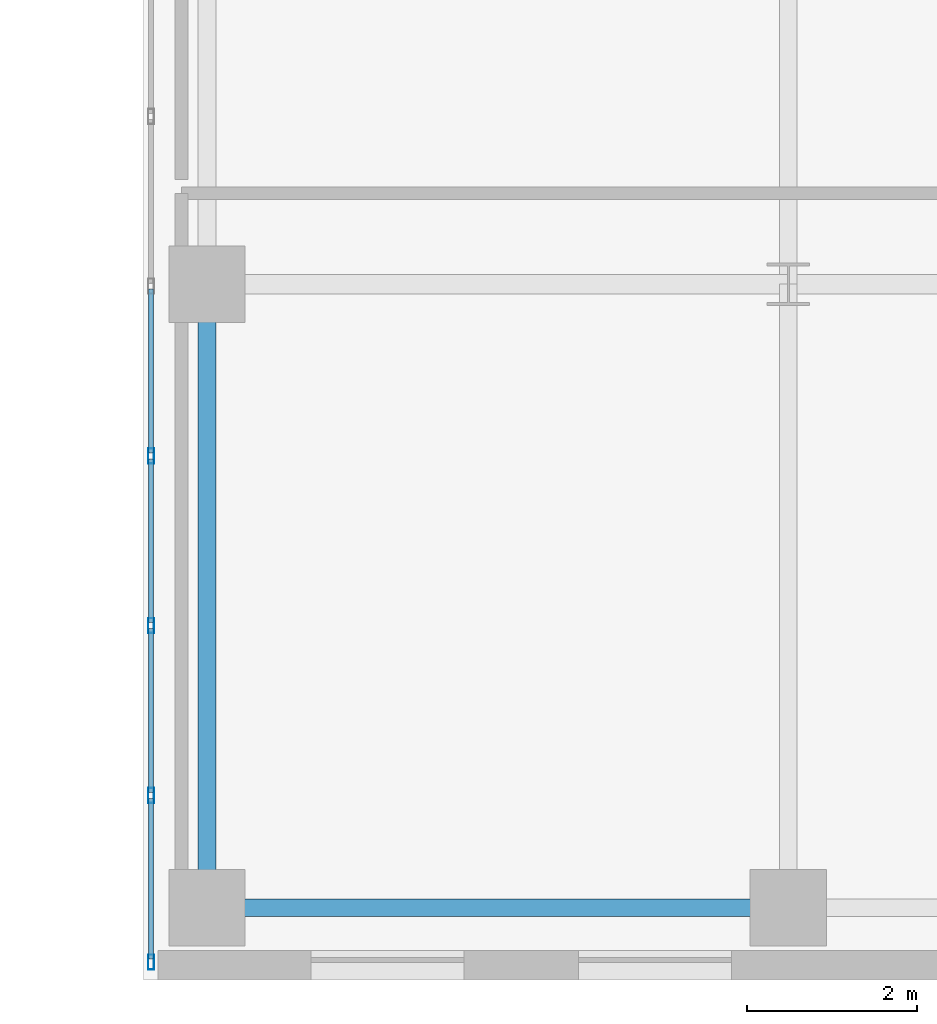
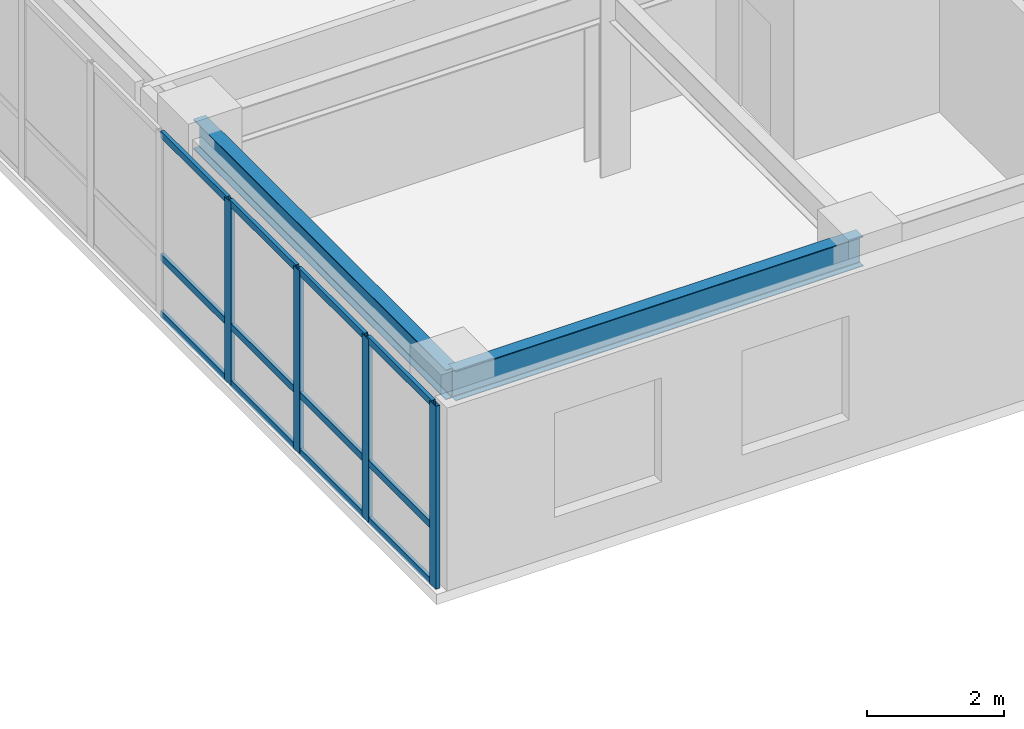
# One storey, part 5 of 16: 16 members, 2 beams, 1 element without a shape of its own.
"""IFC4 building model written with IfcOpenShell, lengths in metres."""

from ifc_helpers import new_model, si_unit, direction, frame, origin, origin_2d, place, context, subcontext, project, spatial, hollow_rectangle, i_section, extrude, source, transform, mapped, material, layer, layer_set, material_profile, profile_set, type_object, type_shapes, element, aggregate, save


model = new_model("IFC4")

# Units and contexts
model_context = context("Model", 3, precision=1e-05, world=origin(), true_north=direction((0.0, 1.0)))
body_context = subcontext(model_context, "Body", "Model", "MODEL_VIEW")
ifc_project = project(units=[si_unit("LENGTHUNIT", "METRE"), si_unit("AREAUNIT", "SQUARE_METRE"), si_unit("VOLUMEUNIT", "CUBIC_METRE"), si_unit("PLANEANGLEUNIT", "RADIAN"), si_unit("MASSUNIT", "GRAM", prefix="KILO")], contexts=[model_context])

# Site, building, storey
site_placement = place(None, origin())
site = spatial("IfcSite", under=ifc_project, at=site_placement, CompositionType="ELEMENT")
building_placement = place(site_placement, origin())
building = spatial("IfcBuilding", under=site, at=building_placement, Name="Tolvann Quenvar Hotel", CompositionType="ELEMENT")
storey_placement = place(building_placement, frame((0.0, 0.0, 92.35009765625)))
storey = spatial("IfcBuildingStorey", under=building, at=storey_placement, Name="L23", CompositionType="ELEMENT", Elevation=92.35009765625)

# Beams
ifc_material_1 = material(Name="Steel Grade 350", Category="steel")
ifc_material_profile_1 = material_profile(ifc_material_1, i_section(OverallWidth=0.208984375, OverallDepth=0.528076171875, WebThickness=0.009521484375, FlangeThickness=0.01318359375, FilletRadius=0.013916015625, at=origin_2d()), Name="530UB82")
ifc_profile_set_1 = profile_set([ifc_material_profile_1], Name="Steel Grade 350")
beam_type_1 = type_object("IfcBeamType", Name="BM_SPAND_530UB82", PredefinedType="SPANDREL", material=ifc_profile_set_1)
shared_shape_1 = source(origin(), body_context, "Body", "SweptSolid", [
    extrude(i_section(OverallWidth=0.208984375, OverallDepth=0.528076171875, WebThickness=0.009521484375, FlangeThickness=0.01318359375, FilletRadius=0.013916015625, at=origin_2d()), origin(), (0.0, 0.0, 1.0), 6.85009765625),
])
type_shapes(beam_type_1, [shared_shape_1])
beam_1_placement = place(storey_placement, frame((34.949951171875, 0.85009765625, 2.98583984375), z_axis=(1.0, 0.0, 0.0), x_axis=(0.0, 1.0, 0.0)))
element("IfcBeam", 1, at=beam_1_placement, inside=storey, type_object=beam_type_1, Name="BM-L23-EW-2-F2-H2", PredefinedType="SPANDREL", context=body_context, shape_type="MappedRepresentation", body=[
    mapped(shared_shape_1, transform((0.0, 0.0, 0.0), x_axis=(1.0, 0.0, 0.0), y_axis=(0.0, 1.0, 0.0), z_axis=(0.0, 0.0, 1.0), scale=1.0)),
])
ifc_material_profile_2 = material_profile(ifc_material_1, i_section(OverallWidth=0.208984375, OverallDepth=0.532958984375, WebThickness=0.01025390625, FlangeThickness=0.015625, FilletRadius=0.013916015625, at=origin_2d()), Name="530UB92")
ifc_profile_set_2 = profile_set([ifc_material_profile_2], Name="Steel Grade 350")
beam_type_2 = type_object("IfcBeamType", Name="BM_GIRD_530UB92", PredefinedType="BEAM", material=ifc_profile_set_2)
shared_shape_2 = source(origin(), body_context, "Body", "SweptSolid", [
    extrude(i_section(OverallWidth=0.208984375, OverallDepth=0.532958984375, WebThickness=0.01025390625, FlangeThickness=0.015625, FilletRadius=0.013916015625, at=origin_2d()), origin(), (0.0, 0.0, 1.0), 7.349853515625),
])
type_shapes(beam_type_2, [shared_shape_2])
beam_2_placement = place(storey_placement, frame((34.949951171875, 0.85009765625, 2.9833984375), z_axis=(0.0, 1.0, 0.0), x_axis=(-1.0, 0.0, 0.0)))
element("IfcBeam", 2, at=beam_2_placement, inside=storey, type_object=beam_type_2, Name="BM-L23-NS-F2-F3", PredefinedType="BEAM", context=body_context, shape_type="MappedRepresentation", body=[
    mapped(shared_shape_2, transform((0.0, 0.0, 0.0), x_axis=(1.0, 0.0, 0.0), y_axis=(0.0, 1.0, 0.0), z_axis=(0.0, 0.0, 1.0), scale=1.0)),
])

# Curtain wall, members
ifc_material_2 = material(Name="Thermally broken anodised architectural aluminium 6063-T6 and laminated low-E glass", Category="aluminium")
ifc_layer = layer(ifc_material_2, 0.179931640625)
ifc_layer_set = layer_set([ifc_layer], Name="Thermally broken anodised architectural aluminium 6063-T6 and laminated low-E glass")
curtain_wall_type = type_object("IfcCurtainWallType", Name="CW_SYS_SLOT_03", PredefinedType="USERDEFINED", material=ifc_layer_set)
curtain_wall_placement = place(storey_placement, origin())
curtain_wall = element("IfcCurtainWall", 3, at=curtain_wall_placement, inside=storey, type_object=curtain_wall_type, Name="Curtain Wall CW-SLOT-03 (CWR-L23-E07)", ObjectType="UNITISED CURTAIN WALL", PredefinedType="USERDEFINED")
ifc_material_3 = material(Name="Anodised architectural aluminium 6063-T6 framing", Category="aluminium")
ifc_material_profile_3 = material_profile(ifc_material_3, hollow_rectangle(XDim=0.06005859375, YDim=0.1201171875, WallThickness=0.00341796875, at=origin_2d()), Name="120x60x3.5RHS")
ifc_profile_set_3 = profile_set([ifc_material_profile_3], Name="Anodised architectural aluminium 6063-T6 framing")
member_type_1 = type_object("IfcMemberType", Name="CW_TRAN_120x60", PredefinedType="USERDEFINED", material=ifc_profile_set_3)
shared_shape_3 = source(origin(), body_context, "Body", "SweptSolid", [
    extrude(hollow_rectangle(XDim=0.06005859375, YDim=0.1201171875, WallThickness=0.00341796875, at=origin_2d()), origin(), (0.0, 0.0, 1.0), 1.894775390625),
])
member_1_placement = place(storey_placement, frame((34.2900390625, 2.139892578125, 0.02978515625), z_axis=(0.0, -1.0, 0.0), x_axis=(1.0, 0.0, 0.0)))
member_1 = element("IfcMember", 4, at=member_1_placement, type_object=member_type_1, Name="CW-SLOT-03 transom 8.1", ObjectType="TRANSOM", PredefinedType="USERDEFINED", context=body_context, shape_type="MappedRepresentation", body=[
    mapped(shared_shape_3, transform((0.0, 0.0, 0.0), x_axis=(1.0, 0.0, 0.0), y_axis=(0.0, 1.0, 0.0), z_axis=(0.0, 0.0, 1.0), scale=1.0)),
])
member_2_placement = place(storey_placement, frame((34.2900390625, 2.139892578125, 1.039794921875), z_axis=(0.0, -1.0, 0.0), x_axis=(1.0, 0.0, 0.0)))
member_2 = element("IfcMember", 5, at=member_2_placement, type_object=member_type_1, Name="CW-SLOT-03 transom 8.2", ObjectType="TRANSOM", PredefinedType="USERDEFINED", context=body_context, shape_type="MappedRepresentation", body=[
    mapped(shared_shape_3, transform((0.0, 0.0, 0.0), x_axis=(1.0, 0.0, 0.0), y_axis=(0.0, 1.0, 0.0), z_axis=(0.0, 0.0, 1.0), scale=1.0)),
])
member_3_placement = place(storey_placement, frame((34.2900390625, 2.139892578125, 3.219970703125), z_axis=(0.0, -1.0, 0.0), x_axis=(1.0, 0.0, 0.0)))
member_3 = element("IfcMember", 6, at=member_3_placement, type_object=member_type_1, Name="CW-SLOT-03 transom 8.3", ObjectType="TRANSOM", PredefinedType="USERDEFINED", context=body_context, shape_type="MappedRepresentation", body=[
    mapped(shared_shape_3, transform((0.0, 0.0, 0.0), x_axis=(1.0, 0.0, 0.0), y_axis=(0.0, 1.0, 0.0), z_axis=(0.0, 0.0, 1.0), scale=1.0)),
])
shared_shape_4 = source(origin(), body_context, "Body", "SweptSolid", [
    extrude(hollow_rectangle(XDim=0.06005859375, YDim=0.1201171875, WallThickness=0.00341796875, at=origin_2d()), origin(), (0.0, 0.0, 1.0), 1.929931640625),
])
type_shapes(member_type_1, [shared_shape_3, shared_shape_4])
member_4_placement = place(storey_placement, frame((34.2900390625, 8.139892578125, 0.02978515625), z_axis=(0.0, -1.0, 0.0), x_axis=(1.0, 0.0, 0.0)))
member_4 = element("IfcMember", 7, at=member_4_placement, type_object=member_type_1, Name="CW-SLOT-03 transom 5.1", ObjectType="TRANSOM", PredefinedType="USERDEFINED", context=body_context, shape_type="MappedRepresentation", body=[
    mapped(shared_shape_4, transform((0.0, 0.0, 0.0), x_axis=(1.0, 0.0, 0.0), y_axis=(0.0, 1.0, 0.0), z_axis=(0.0, 0.0, 1.0), scale=1.0)),
])
member_5_placement = place(storey_placement, frame((34.2900390625, 8.139892578125, 1.039794921875), z_axis=(0.0, -1.0, 0.0), x_axis=(1.0, 0.0, 0.0)))
member_5 = element("IfcMember", 8, at=member_5_placement, type_object=member_type_1, Name="CW-SLOT-03 transom 5.2", ObjectType="TRANSOM", PredefinedType="USERDEFINED", context=body_context, shape_type="MappedRepresentation", body=[
    mapped(shared_shape_4, transform((0.0, 0.0, 0.0), x_axis=(1.0, 0.0, 0.0), y_axis=(0.0, 1.0, 0.0), z_axis=(0.0, 0.0, 1.0), scale=1.0)),
])
member_6_placement = place(storey_placement, frame((34.2900390625, 8.139892578125, 3.219970703125), z_axis=(0.0, -1.0, 0.0), x_axis=(1.0, 0.0, 0.0)))
member_6 = element("IfcMember", 9, at=member_6_placement, type_object=member_type_1, Name="CW-SLOT-03 transom 5.3", ObjectType="TRANSOM", PredefinedType="USERDEFINED", context=body_context, shape_type="MappedRepresentation", body=[
    mapped(shared_shape_4, transform((0.0, 0.0, 0.0), x_axis=(1.0, 0.0, 0.0), y_axis=(0.0, 1.0, 0.0), z_axis=(0.0, 0.0, 1.0), scale=1.0)),
])
member_7_placement = place(storey_placement, frame((34.2900390625, 6.139892578125, 0.02978515625), z_axis=(0.0, -1.0, 0.0), x_axis=(1.0, 0.0, 0.0)))
member_7 = element("IfcMember", 10, at=member_7_placement, type_object=member_type_1, Name="CW-SLOT-03 transom 6.1", ObjectType="TRANSOM", PredefinedType="USERDEFINED", context=body_context, shape_type="MappedRepresentation", body=[
    mapped(shared_shape_4, transform((0.0, 0.0, 0.0), x_axis=(1.0, 0.0, 0.0), y_axis=(0.0, 1.0, 0.0), z_axis=(0.0, 0.0, 1.0), scale=1.0)),
])
member_8_placement = place(storey_placement, frame((34.2900390625, 6.139892578125, 1.039794921875), z_axis=(0.0, -1.0, 0.0), x_axis=(1.0, 0.0, 0.0)))
member_8 = element("IfcMember", 11, at=member_8_placement, type_object=member_type_1, Name="CW-SLOT-03 transom 6.2", ObjectType="TRANSOM", PredefinedType="USERDEFINED", context=body_context, shape_type="MappedRepresentation", body=[
    mapped(shared_shape_4, transform((0.0, 0.0, 0.0), x_axis=(1.0, 0.0, 0.0), y_axis=(0.0, 1.0, 0.0), z_axis=(0.0, 0.0, 1.0), scale=1.0)),
])
member_9_placement = place(storey_placement, frame((34.2900390625, 6.139892578125, 3.219970703125), z_axis=(0.0, -1.0, 0.0), x_axis=(1.0, 0.0, 0.0)))
member_9 = element("IfcMember", 12, at=member_9_placement, type_object=member_type_1, Name="CW-SLOT-03 transom 6.3", ObjectType="TRANSOM", PredefinedType="USERDEFINED", context=body_context, shape_type="MappedRepresentation", body=[
    mapped(shared_shape_4, transform((0.0, 0.0, 0.0), x_axis=(1.0, 0.0, 0.0), y_axis=(0.0, 1.0, 0.0), z_axis=(0.0, 0.0, 1.0), scale=1.0)),
])
member_10_placement = place(storey_placement, frame((34.2900390625, 4.139892578125, 0.02978515625), z_axis=(0.0, -1.0, 0.0), x_axis=(1.0, 0.0, 0.0)))
member_10 = element("IfcMember", 13, at=member_10_placement, type_object=member_type_1, Name="CW-SLOT-03 transom 7.1", ObjectType="TRANSOM", PredefinedType="USERDEFINED", context=body_context, shape_type="MappedRepresentation", body=[
    mapped(shared_shape_4, transform((0.0, 0.0, 0.0), x_axis=(1.0, 0.0, 0.0), y_axis=(0.0, 1.0, 0.0), z_axis=(0.0, 0.0, 1.0), scale=1.0)),
])
member_11_placement = place(storey_placement, frame((34.2900390625, 4.139892578125, 1.039794921875), z_axis=(0.0, -1.0, 0.0), x_axis=(1.0, 0.0, 0.0)))
member_11 = element("IfcMember", 14, at=member_11_placement, type_object=member_type_1, Name="CW-SLOT-03 transom 7.2", ObjectType="TRANSOM", PredefinedType="USERDEFINED", context=body_context, shape_type="MappedRepresentation", body=[
    mapped(shared_shape_4, transform((0.0, 0.0, 0.0), x_axis=(1.0, 0.0, 0.0), y_axis=(0.0, 1.0, 0.0), z_axis=(0.0, 0.0, 1.0), scale=1.0)),
])
member_12_placement = place(storey_placement, frame((34.2900390625, 4.139892578125, 3.219970703125), z_axis=(0.0, -1.0, 0.0), x_axis=(1.0, 0.0, 0.0)))
member_12 = element("IfcMember", 15, at=member_12_placement, type_object=member_type_1, Name="CW-SLOT-03 transom 7.3", ObjectType="TRANSOM", PredefinedType="USERDEFINED", context=body_context, shape_type="MappedRepresentation", body=[
    mapped(shared_shape_4, transform((0.0, 0.0, 0.0), x_axis=(1.0, 0.0, 0.0), y_axis=(0.0, 1.0, 0.0), z_axis=(0.0, 0.0, 1.0), scale=1.0)),
])
ifc_material_profile_4 = material_profile(ifc_material_3, hollow_rectangle(XDim=0.070068359375, YDim=0.179931640625, WallThickness=0.00390625, at=origin_2d()), Name="180x70x4RHS")
ifc_profile_set_4 = profile_set([ifc_material_profile_4], Name="Anodised architectural aluminium 6063-T6 framing")
member_type_2 = type_object("IfcMemberType", Name="CW_MULL_180x70", PredefinedType="MULLION", material=ifc_profile_set_4)
shared_shape_5 = source(origin(), body_context, "Body", "SweptSolid", [
    extrude(hollow_rectangle(XDim=0.070068359375, YDim=0.179931640625, WallThickness=0.00390625, at=origin_2d()), origin(), (0.0, 0.0, 1.0), 3.25),
])
type_shapes(member_type_2, [shared_shape_5])
member_13_placement = place(storey_placement, frame((34.2900390625, 6.175048828125, 0.0), z_axis=(0.0, 0.0, 1.0), x_axis=(1.0, 0.0, 0.0)))
member_13 = element("IfcMember", 16, at=member_13_placement, type_object=member_type_2, Name="CW-SLOT-03 mullion 6", PredefinedType="MULLION", context=body_context, shape_type="MappedRepresentation", body=[
    mapped(shared_shape_5, transform((0.0, 0.0, 0.0), x_axis=(1.0, 0.0, 0.0), y_axis=(0.0, 1.0, 0.0), z_axis=(0.0, 0.0, 1.0), scale=1.0)),
])
member_14_placement = place(storey_placement, frame((34.2900390625, 4.175048828125, 0.0), z_axis=(0.0, 0.0, 1.0), x_axis=(1.0, 0.0, 0.0)))
member_14 = element("IfcMember", 17, at=member_14_placement, type_object=member_type_2, Name="CW-SLOT-03 mullion 7", PredefinedType="MULLION", context=body_context, shape_type="MappedRepresentation", body=[
    mapped(shared_shape_5, transform((0.0, 0.0, 0.0), x_axis=(1.0, 0.0, 0.0), y_axis=(0.0, 1.0, 0.0), z_axis=(0.0, 0.0, 1.0), scale=1.0)),
])
member_15_placement = place(storey_placement, frame((34.2900390625, 2.175048828125, 0.0), z_axis=(0.0, 0.0, 1.0), x_axis=(1.0, 0.0, 0.0)))
member_15 = element("IfcMember", 18, at=member_15_placement, type_object=member_type_2, Name="CW-SLOT-03 mullion 8", PredefinedType="MULLION", context=body_context, shape_type="MappedRepresentation", body=[
    mapped(shared_shape_5, transform((0.0, 0.0, 0.0), x_axis=(1.0, 0.0, 0.0), y_axis=(0.0, 1.0, 0.0), z_axis=(0.0, 0.0, 1.0), scale=1.0)),
])
member_16_placement = place(storey_placement, frame((34.2900390625, 0.2099609375, 0.0), z_axis=(0.0, 0.0, 1.0), x_axis=(1.0, 0.0, 0.0)))
member_16 = element("IfcMember", 19, at=member_16_placement, type_object=member_type_2, Name="CW-SLOT-03 mullion 9", PredefinedType="MULLION", context=body_context, shape_type="MappedRepresentation", body=[
    mapped(shared_shape_5, transform((0.0, 0.0, 0.0), x_axis=(1.0, 0.0, 0.0), y_axis=(0.0, 1.0, 0.0), z_axis=(0.0, 0.0, 1.0), scale=1.0)),
])
aggregate(curtain_wall, [member_13, member_14, member_15, member_16, member_4, member_5, member_6, member_7, member_8, member_9, member_10, member_11, member_12, member_1, member_2, member_3])

save(model, "model.ifc")
